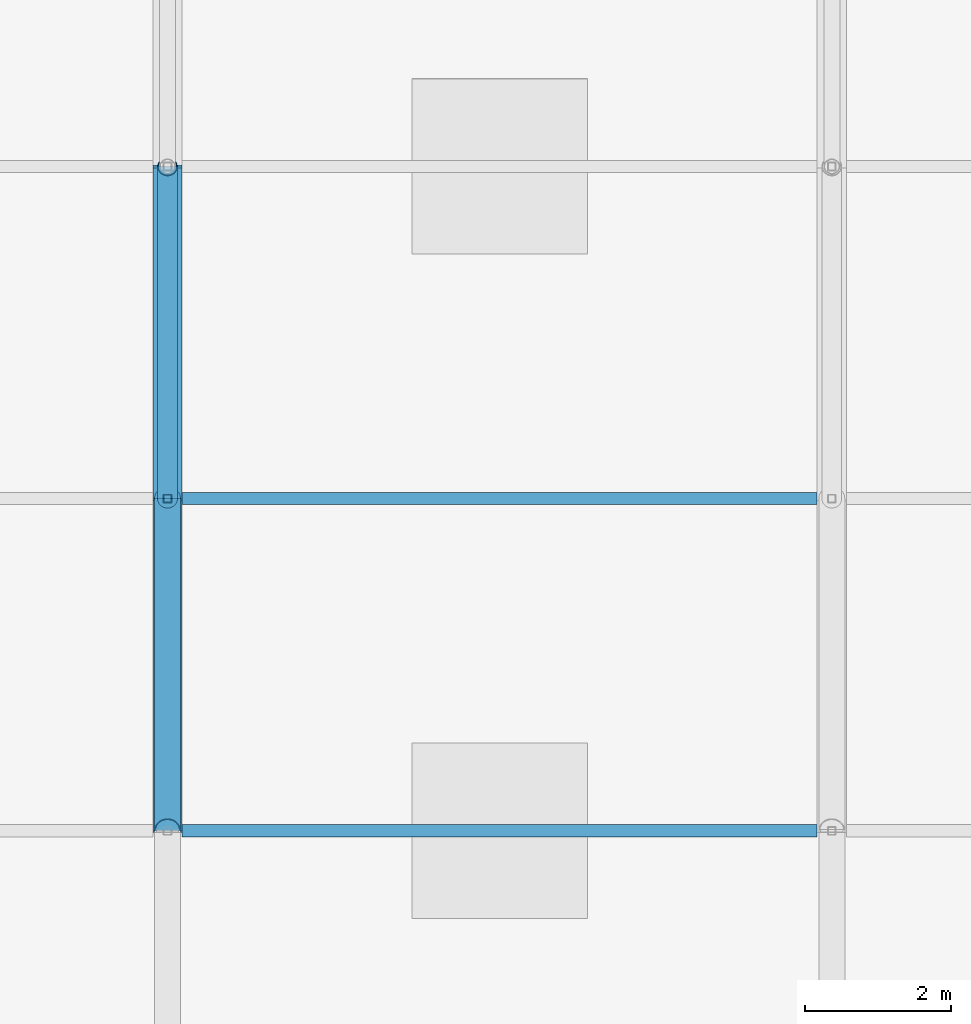
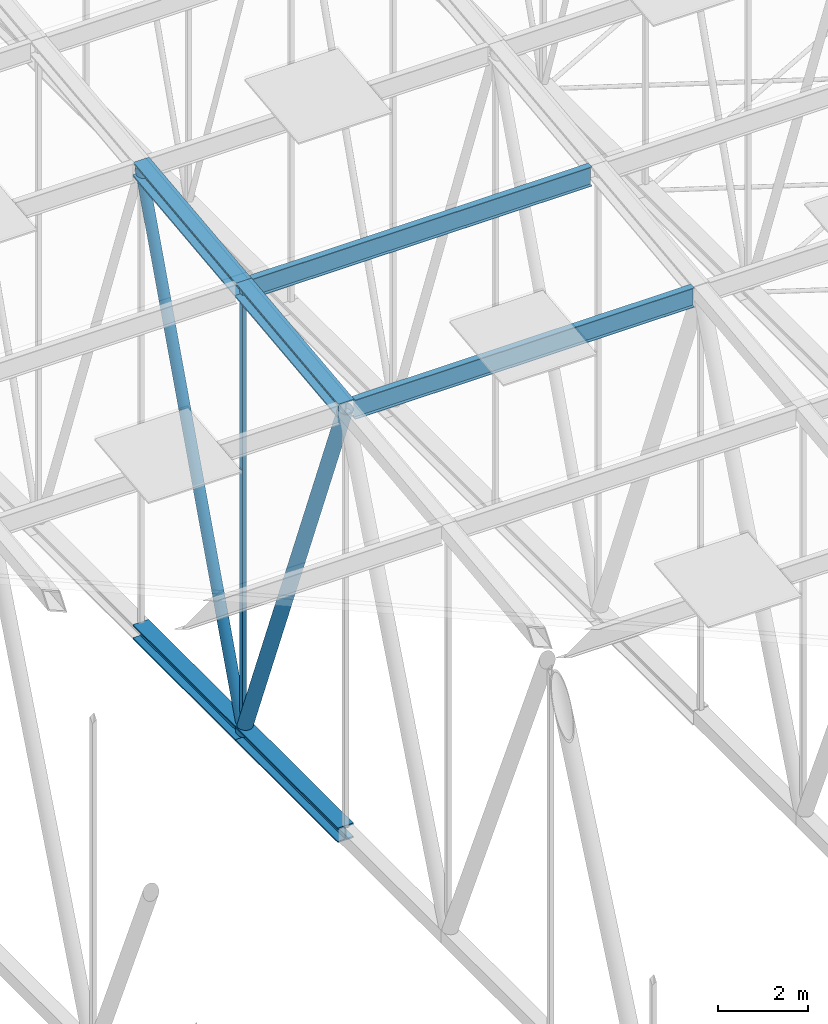
# One storey, part 134 of 500: 9 members.
"""IFC4 building model written with IfcOpenShell, lengths in metres."""

from ifc_helpers import new_model, si_unit, direction, frame, origin, origin_2d, place, context, subcontext, project, spatial, hollow_rectangle, hollow_circle, i_section, extrude, material, material_profile, profile_set, type_object, element, save


model = new_model("IFC4")

# Units and contexts
model_context = context("Model", 3, precision=1e-05, world=origin(), true_north=direction((0.0, 1.0)))
body_context = subcontext(model_context, "Body", "Model", "MODEL_VIEW")
ifc_project = project(units=[si_unit("LENGTHUNIT", "METRE"), si_unit("AREAUNIT", "SQUARE_METRE"), si_unit("VOLUMEUNIT", "CUBIC_METRE"), si_unit("PLANEANGLEUNIT", "RADIAN"), si_unit("MASSUNIT", "GRAM", prefix="KILO")], contexts=[model_context])

# Site, building, storey
site_placement = place(None, origin())
site = spatial("IfcSite", under=ifc_project, at=site_placement, CompositionType="ELEMENT")
building_placement = place(site_placement, origin())
building = spatial("IfcBuilding", under=site, at=building_placement, Name="Shirokan Park Arena", CompositionType="ELEMENT")
storey_placement = place(building_placement, frame((0.0, 0.0, 29.1201171875)))
storey = spatial("IfcBuildingStorey", under=building, at=storey_placement, Name="L06", CompositionType="ELEMENT", Elevation=29.1201171875)

# Members
ifc_material_1 = material(Name="Steel ASTM A992", Category="steel")
ifc_material_profile_1 = material_profile(ifc_material_1, i_section(OverallWidth=0.40087890625, OverallDepth=0.39892578125, WebThickness=0.02490234375, FlangeThickness=0.03955078125, at=origin_2d()), Name="W360X314")
ifc_profile_set_1 = profile_set([ifc_material_profile_1], Name="Steel ASTM A992")
member_type_1 = type_object("IfcMemberType", Name="Bottom chord W360X314", PredefinedType="CHORD", material=ifc_profile_set_1)
member_1_placement = place(storey_placement, frame((72.800048828125, 31.85009765625, 4.677001953125), z_axis=(0.0, 1.0, 0.0), x_axis=(-1.0, 0.0, 0.0)))
element("IfcMember", 1, at=member_1_placement, inside=storey, type_object=member_type_1, Name="Truss T09 bottom chord 10", PredefinedType="CHORD", context=body_context, shape_type="SweptSolid", body=[
    extrude(i_section(OverallWidth=0.40087890625, OverallDepth=0.39892578125, WebThickness=0.02490234375, FlangeThickness=0.03955078125, at=origin_2d()), origin(), (0.0, 0.0, 1.0), 4.5498046875),
])
member_2_placement = place(storey_placement, frame((72.800048828125, 36.39990234375, 4.677001953125), z_axis=(0.0, 1.0, 0.0), x_axis=(-1.0, 0.0, 0.0)))
element("IfcMember", 2, at=member_2_placement, inside=storey, type_object=member_type_1, Name="Truss T09 bottom chord 11", PredefinedType="CHORD", context=body_context, shape_type="SweptSolid", body=[
    extrude(i_section(OverallWidth=0.40087890625, OverallDepth=0.39892578125, WebThickness=0.02490234375, FlangeThickness=0.03955078125, at=origin_2d()), origin(), (0.0, 0.0, 1.0), 4.550048828125),
])
ifc_material_profile_2 = material_profile(ifc_material_1, i_section(OverallWidth=0.166015625, OverallDepth=0.528076171875, WebThickness=0.009765625, FlangeThickness=0.013671875, at=origin_2d()), Name="W530X74")
ifc_profile_set_2 = profile_set([ifc_material_profile_2], Name="Steel ASTM A992")
member_type_2 = type_object("IfcMemberType", Name="Purlin W530X74", PredefinedType="PURLIN", material=ifc_profile_set_2)
for number, where, z_axis, x_axis, name in (
    (3, (73.00048828125, 31.85009765625, 16.1259765625), (1.0, 0.0, 0.0), (0.0, 1.0, 0.0), "Purlin 10 bay 9"),
    (4, (73.00048828125, 36.39990234375, 16.64599609375), (1.0, 0.0, 0.0), (0.0, 1.0, 0.0), "Purlin 11 bay 9"),
):
    element("IfcMember", number, at=place(storey_placement, frame(where, z_axis=z_axis, x_axis=x_axis)), inside=storey, type_object=member_type_2, Name=name, PredefinedType="PURLIN", context=body_context, shape_type="SweptSolid", body=[
        extrude(i_section(OverallWidth=0.166015625, OverallDepth=0.528076171875, WebThickness=0.009765625, FlangeThickness=0.013671875, at=origin_2d()), origin(), (0.0, 0.0, 1.0), 8.698974609375),
    ])
ifc_material_profile_3 = material_profile(ifc_material_1, i_section(OverallWidth=0.40087890625, OverallDepth=0.39892578125, WebThickness=0.02490234375, FlangeThickness=0.03955078125, at=origin_2d()), Name="W360X314")
ifc_profile_set_3 = profile_set([ifc_material_profile_3], Name="Steel ASTM A992")
member_type_3 = type_object("IfcMemberType", Name="Top chord W360X314", PredefinedType="CHORD", material=ifc_profile_set_3)
member_3_placement = place(storey_placement, frame((72.800048828125, 31.85009765625, 16.181396484375), z_axis=(0.0, 0.993531641592, 0.11355561261), x_axis=(-1.0, 0.0, 0.0)))
element("IfcMember", 5, at=member_3_placement, inside=storey, type_object=member_type_3, Name="Truss T09 top chord 10", PredefinedType="CHORD", context=body_context, shape_type="SweptSolid", body=[
    extrude(i_section(OverallWidth=0.40087890625, OverallDepth=0.39892578125, WebThickness=0.02490234375, FlangeThickness=0.03955078125, at=origin_2d()), origin(), (0.0, 0.0, 1.0), 4.579345703125),
])
member_4_placement = place(storey_placement, frame((72.800048828125, 36.39990234375, 16.701416015625), z_axis=(0.0, 0.993532328996, 0.113549598152), x_axis=(-1.0, 0.0, 0.0)))
element("IfcMember", 6, at=member_4_placement, inside=storey, type_object=member_type_3, Name="Truss T09 top chord 11", PredefinedType="CHORD", context=body_context, shape_type="SweptSolid", body=[
    extrude(i_section(OverallWidth=0.40087890625, OverallDepth=0.39892578125, WebThickness=0.02490234375, FlangeThickness=0.03955078125, at=origin_2d()), origin(), (0.0, 0.0, 1.0), 4.57958984375),
])
ifc_material_2 = material(Name="Steel ASTM A500 Grade C", Category="steel")
ifc_material_profile_4 = material_profile(ifc_material_2, hollow_circle(Radius=0.136474609375, WallThickness=0.009521484375, at=origin_2d()), Name="HSS273.1X9.5")
ifc_profile_set_4 = profile_set([ifc_material_profile_4], Name="Steel ASTM A500 Grade C")
member_type_4 = type_object("IfcMemberType", Name="Truss diagonal HSS273.1X9.5", PredefinedType="BRACE", material=ifc_profile_set_4)
member_5_placement = place(storey_placement, frame((72.800048828125, 36.39990234375, 4.677001953125), z_axis=(0.0, 0.340977600467, 0.94007142068), x_axis=(-1.0, 0.0, 0.0)))
element("IfcMember", 7, at=member_5_placement, inside=storey, type_object=member_type_4, Name="Truss T09 diagonal 11", PredefinedType="BRACE", context=body_context, shape_type="SweptSolid", body=[
    extrude(hollow_circle(Radius=0.136474609375, WallThickness=0.009521484375, at=origin_2d()), origin(), (0.0, 0.0, 1.0), 13.34423828125),
])
ifc_material_profile_5 = material_profile(ifc_material_2, hollow_circle(Radius=0.177978515625, WallThickness=0.0126953125, at=origin_2d()), Name="HSS355.6X12.7")
ifc_profile_set_5 = profile_set([ifc_material_profile_5], Name="Steel ASTM A500 Grade C")
member_type_5 = type_object("IfcMemberType", Name="Truss diagonal HSS355.6X12.7", PredefinedType="BRACE", material=ifc_profile_set_5)
member_6_placement = place(storey_placement, frame((72.800048828125, 31.85009765625, 16.181396484375), z_axis=(0.0, 0.367767637573, -0.929917719346), x_axis=(-1.0, 0.0, 0.0)))
element("IfcMember", 8, at=member_6_placement, inside=storey, type_object=member_type_5, Name="Truss T09 diagonal 10", PredefinedType="BRACE", context=body_context, shape_type="SweptSolid", body=[
    extrude(hollow_circle(Radius=0.177978515625, WallThickness=0.0126953125, at=origin_2d()), origin(), (0.0, 0.0, 1.0), 12.371337890625),
])
ifc_material_profile_6 = material_profile(ifc_material_2, hollow_rectangle(XDim=0.114013671875, YDim=0.114013671875, WallThickness=0.00634765625, at=origin_2d()), Name="HSS114.3X114.3X6.4")
ifc_profile_set_6 = profile_set([ifc_material_profile_6], Name="Steel ASTM A500 Grade C")
member_type_6 = type_object("IfcMemberType", Name="Truss post HSS114.3X114.3X6.4", PredefinedType="POST", material=ifc_profile_set_6)
member_7_placement = place(storey_placement, frame((72.800048828125, 36.39990234375, 4.677001953125), z_axis=(0.0, 0.0, 1.0), x_axis=(1.0, 0.0, 0.0)))
element("IfcMember", 9, at=member_7_placement, inside=storey, type_object=member_type_6, Name="Truss T09 post 11", PredefinedType="POST", context=body_context, shape_type="SweptSolid", body=[
    extrude(hollow_rectangle(XDim=0.114013671875, YDim=0.114013671875, WallThickness=0.00634765625, at=origin_2d()), origin(), (0.0, 0.0, 1.0), 12.0244140625),
])

save(model, "model.ifc")
